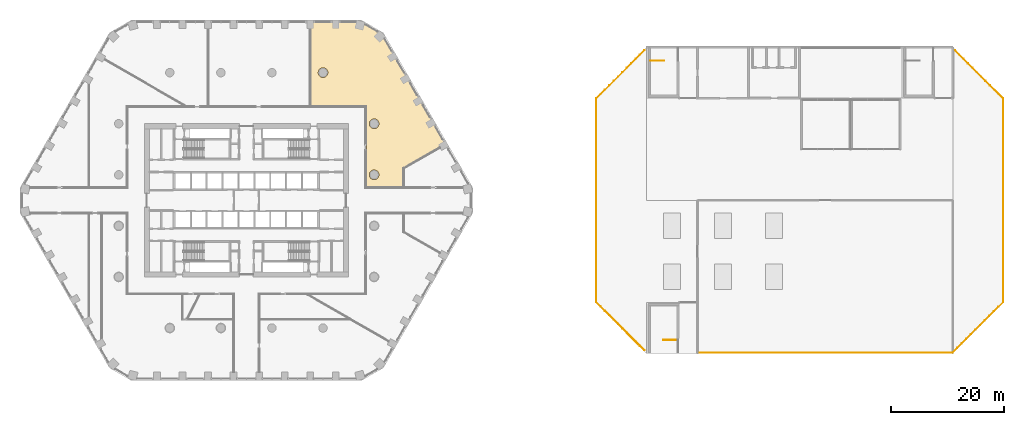
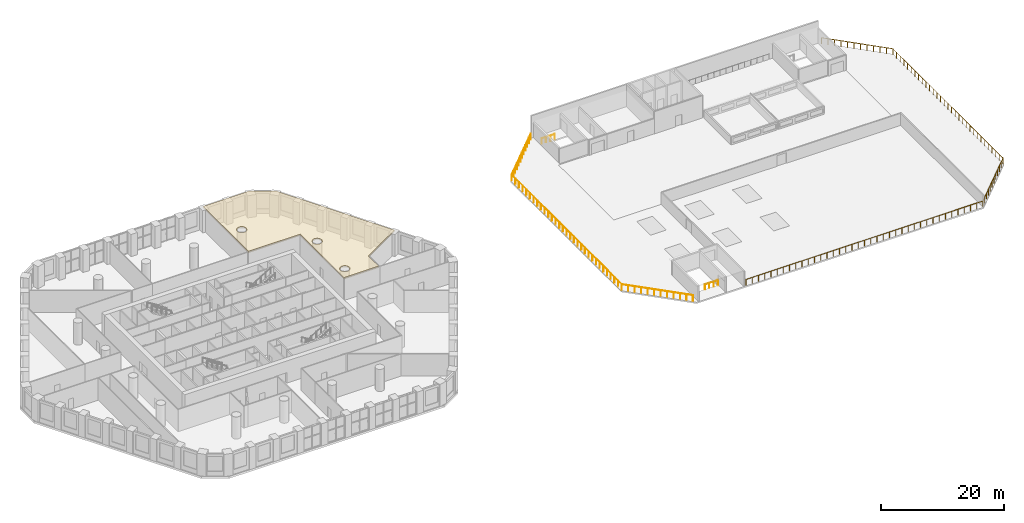
# One storey, part 20 of 21: 5 railings, 1 covering.
"""IFC4 building model written with IfcOpenShell, lengths in metres."""

from ifc_helpers import new_model, si_unit, direction, frame, origin, origin_2d, place, context, subcontext, project, spatial, polyline, circle, outline, extrude, material, layer, layer_set, type_object, element, save


model = new_model("IFC4")

# Units and contexts
model_context = context("Model", 3, precision=1e-05, world=origin(), true_north=direction((0.0, 1.0)))
body_context = subcontext(model_context, "Body", "Model", "MODEL_VIEW")
ifc_project = project(units=[si_unit("LENGTHUNIT", "METRE"), si_unit("AREAUNIT", "SQUARE_METRE"), si_unit("VOLUMEUNIT", "CUBIC_METRE"), si_unit("PLANEANGLEUNIT", "RADIAN"), si_unit("MASSUNIT", "GRAM", prefix="KILO")], contexts=[model_context])

# Site, building, storey
site_placement = place(None, origin())
site = spatial("IfcSite", under=ifc_project, at=site_placement, CompositionType="ELEMENT")
building_placement = place(site_placement, origin())
building = spatial("IfcBuilding", under=site, at=building_placement, Name="Dhurran Vertical Campus", CompositionType="ELEMENT")
storey_placement = place(building_placement, frame((0.0, 0.0, 20.39990234375)))
storey = spatial("IfcBuildingStorey", under=building, at=storey_placement, Name="L04", CompositionType="ELEMENT", Elevation=20.39990234375)

# Covering
ifc_material_1 = material(Name="Mineral fibre ceiling tiles on suspended grid")
ifc_layer = layer(ifc_material_1, 0.35009765625)
ifc_layer_set = layer_set([ifc_layer], Name="Mineral fibre ceiling tiles on suspended grid")
covering_type = type_object("IfcCoveringType", Name="fl-CE-350 suspended ceiling", PredefinedType="CEILING", material=ifc_layer_set)
covering_placement = place(storey_placement, frame((0.0, 0.0, 4.050048828125)))
element("IfcCovering", 1, at=covering_placement, inside=storey, type_object=covering_type, Name="Ceiling 04-15", PredefinedType="CEILING", context=body_context, shape_type="SweptSolid", body=[
    extrude(outline(polyline([(27.6298828125, 5.697998046875), (27.6298828125, 2.3701171875), (21.1201171875, 2.3701171875), (21.1201171875, 16.6201171875), (11.3701171875, 16.6201171875), (11.3701171875, 31.360107421875), (20.137939453125, 31.360107421875), (23.839111328125, 29.221923828125), (34.972900390625, 9.93798828125), (27.6298828125, 5.697998046875)]), holes=[polyline([(14.25, 22.90087890625), (14.20703125, 22.971923828125), (14.156982421875, 23.0390625), (14.10107421875, 23.10107421875), (14.0390625, 23.156982421875), (13.971923828125, 23.20703125), (13.90087890625, 23.25), (13.824951171875, 23.284912109375), (13.7470703125, 23.31298828125), (13.666015625, 23.333984375), (13.5830078125, 23.345947265625), (13.5, 23.35009765625), (13.4169921875, 23.345947265625), (13.333984375, 23.333984375), (13.2529296875, 23.31298828125), (13.175048828125, 23.284912109375), (13.09912109375, 23.25), (13.028076171875, 23.20703125), (12.9609375, 23.156982421875), (12.89892578125, 23.10107421875), (12.843017578125, 23.0390625), (12.79296875, 22.971923828125), (12.75, 22.90087890625), (12.715087890625, 22.824951171875), (12.68701171875, 22.7470703125), (12.666015625, 22.666015625), (12.654052734375, 22.5830078125), (12.64990234375, 22.5), (12.654052734375, 22.4169921875), (12.666015625, 22.333984375), (12.68701171875, 22.2529296875), (12.715087890625, 22.175048828125), (12.75, 22.09912109375), (12.79296875, 22.028076171875), (12.843017578125, 21.9609375), (12.89892578125, 21.89892578125), (12.9609375, 21.843017578125), (13.028076171875, 21.79296875), (13.09912109375, 21.75), (13.175048828125, 21.715087890625), (13.2529296875, 21.68701171875), (13.333984375, 21.666015625), (13.4169921875, 21.654052734375), (13.5, 21.64990234375), (13.5830078125, 21.654052734375), (13.666015625, 21.666015625), (13.7470703125, 21.68701171875), (13.824951171875, 21.715087890625), (13.90087890625, 21.75), (13.971923828125, 21.79296875), (14.0390625, 21.843017578125), (14.10107421875, 21.89892578125), (14.156982421875, 21.9609375), (14.20703125, 22.028076171875), (14.25, 22.09912109375), (14.284912109375, 22.175048828125), (14.31298828125, 22.2529296875), (14.333984375, 22.333984375), (14.345947265625, 22.4169921875), (14.35009765625, 22.5), (14.345947265625, 22.5830078125), (14.333984375, 22.666015625), (14.31298828125, 22.7470703125), (14.284912109375, 22.824951171875), (14.25, 22.90087890625)]), polyline([(23.333984375, 4.666015625), (23.31298828125, 4.7470703125), (23.284912109375, 4.824951171875), (23.25, 4.90087890625), (23.20703125, 4.971923828125), (23.156982421875, 5.0390625), (23.10107421875, 5.10107421875), (23.0390625, 5.156982421875), (22.971923828125, 5.20703125), (22.90087890625, 5.25), (22.824951171875, 5.284912109375), (22.7470703125, 5.31298828125), (22.666015625, 5.333984375), (22.5830078125, 5.345947265625), (22.5, 5.35009765625), (22.4169921875, 5.345947265625), (22.333984375, 5.333984375), (22.2529296875, 5.31298828125), (22.175048828125, 5.284912109375), (22.09912109375, 5.25), (22.028076171875, 5.20703125), (21.9609375, 5.156982421875), (21.89892578125, 5.10107421875), (21.843017578125, 5.0390625), (21.79296875, 4.971923828125), (21.75, 4.90087890625), (21.715087890625, 4.824951171875), (21.68701171875, 4.7470703125), (21.666015625, 4.666015625), (21.654052734375, 4.5830078125), (21.64990234375, 4.5), (21.654052734375, 4.4169921875), (21.666015625, 4.333984375), (21.68701171875, 4.2529296875), (21.715087890625, 4.175048828125), (21.75, 4.09912109375), (21.79296875, 4.028076171875), (21.843017578125, 3.9609375), (21.89892578125, 3.89892578125), (21.9609375, 3.843017578125), (22.028076171875, 3.79296875), (22.09912109375, 3.75), (22.175048828125, 3.715087890625), (22.2529296875, 3.68701171875), (22.333984375, 3.666015625), (22.4169921875, 3.654052734375), (22.5, 3.64990234375), (22.5830078125, 3.654052734375), (22.666015625, 3.666015625), (22.7470703125, 3.68701171875), (22.824951171875, 3.715087890625), (22.90087890625, 3.75), (22.971923828125, 3.79296875), (23.0390625, 3.843017578125), (23.10107421875, 3.89892578125), (23.156982421875, 3.9609375), (23.20703125, 4.028076171875), (23.25, 4.09912109375), (23.284912109375, 4.175048828125), (23.31298828125, 4.2529296875), (23.333984375, 4.333984375), (23.345947265625, 4.4169921875), (23.35009765625, 4.5), (23.345947265625, 4.5830078125), (23.333984375, 4.666015625)]), polyline([(23.345947265625, 13.5830078125), (23.333984375, 13.666015625), (23.31298828125, 13.7470703125), (23.284912109375, 13.824951171875), (23.25, 13.90087890625), (23.20703125, 13.971923828125), (23.156982421875, 14.0390625), (23.10107421875, 14.10107421875), (23.0390625, 14.156982421875), (22.971923828125, 14.20703125), (22.90087890625, 14.25), (22.824951171875, 14.284912109375), (22.7470703125, 14.31298828125), (22.666015625, 14.333984375), (22.5830078125, 14.345947265625), (22.5, 14.35009765625), (22.4169921875, 14.345947265625), (22.333984375, 14.333984375), (22.2529296875, 14.31298828125), (22.175048828125, 14.284912109375), (22.09912109375, 14.25), (22.028076171875, 14.20703125), (21.9609375, 14.156982421875), (21.89892578125, 14.10107421875), (21.843017578125, 14.0390625), (21.79296875, 13.971923828125), (21.75, 13.90087890625), (21.715087890625, 13.824951171875), (21.68701171875, 13.7470703125), (21.666015625, 13.666015625), (21.654052734375, 13.5830078125), (21.64990234375, 13.5), (21.654052734375, 13.4169921875), (21.666015625, 13.333984375), (21.68701171875, 13.2529296875), (21.715087890625, 13.175048828125), (21.75, 13.09912109375), (21.79296875, 13.028076171875), (21.843017578125, 12.9609375), (21.89892578125, 12.89892578125), (21.9609375, 12.843017578125), (22.028076171875, 12.79296875), (22.09912109375, 12.75), (22.175048828125, 12.715087890625), (22.2529296875, 12.68701171875), (22.333984375, 12.666015625), (22.4169921875, 12.654052734375), (22.5, 12.64990234375), (22.5830078125, 12.654052734375), (22.666015625, 12.666015625), (22.7470703125, 12.68701171875), (22.824951171875, 12.715087890625), (22.90087890625, 12.75), (22.971923828125, 12.79296875), (23.0390625, 12.843017578125), (23.10107421875, 12.89892578125), (23.156982421875, 12.9609375), (23.20703125, 13.028076171875), (23.25, 13.09912109375), (23.284912109375, 13.175048828125), (23.31298828125, 13.2529296875), (23.333984375, 13.333984375), (23.345947265625, 13.4169921875), (23.35009765625, 13.5), (23.345947265625, 13.5830078125)])]), origin(), (0.0, 0.0, 1.0), 0.35009765625),
])

# Railings
ifc_material_2 = material(Name="Steel S355J2H", Category="steel")
railing_type_1 = type_object("IfcRailingType", Name="hl-roof guard 1200", PredefinedType="GUARDRAIL", material=ifc_material_2)
railing_1_placement = place(storey_placement, frame((61.64990234375, -17.93798828125, 0.0)))
element("IfcRailing", 2, at=railing_1_placement, inside=storey, type_object=railing_type_1, Name="Hall roof guard 01", PredefinedType="GUARDRAIL", context=body_context, shape_type="SweptSolid", body=[
    extrude(circle(Radius=0.02392578125, at=origin_2d()), frame((0.0, 0.0, 1.17578125), z_axis=(0.0, 1.0, 0.0), x_axis=(-1.0, 0.0, 0.0)), (0.0, 0.0, 1.0), 35.8759765625),
    extrude(circle(Radius=0.02392578125, at=origin_2d()), frame((0.0, 35.8759765625, 1.17578125), z_axis=(0.707106781187, 0.707106781187, 0.0), x_axis=(-0.707106781187, 0.707106781187, 0.0)), (0.0, 0.0, 1.0), 12.020751953125),
    extrude(circle(Radius=0.02099609375, at=origin_2d()), origin(), (0.0, 0.0, 1.0), 1.15185546875),
    extrude(circle(Radius=0.02099609375, at=origin_2d()), frame((0.0, 1.19580078125, 0.0)), (0.0, 0.0, 1.0), 1.15185546875),
    extrude(circle(Radius=0.02099609375, at=origin_2d()), frame((0.0, 2.391845703125, 0.0)), (0.0, 0.0, 1.0), 1.15185546875),
    extrude(circle(Radius=0.02099609375, at=origin_2d()), frame((0.0, 3.587646484375, 0.0)), (0.0, 0.0, 1.0), 1.15185546875),
    extrude(circle(Radius=0.02099609375, at=origin_2d()), frame((0.0, 4.783447265625, 0.0)), (0.0, 0.0, 1.0), 1.15185546875),
    extrude(circle(Radius=0.02099609375, at=origin_2d()), frame((0.0, 5.979248046875, 0.0)), (0.0, 0.0, 1.0), 1.15185546875),
    extrude(circle(Radius=0.02099609375, at=origin_2d()), frame((0.0, 7.17529296875, 0.0)), (0.0, 0.0, 1.0), 1.15185546875),
    extrude(circle(Radius=0.02099609375, at=origin_2d()), frame((0.0, 8.37109375, 0.0)), (0.0, 0.0, 1.0), 1.15185546875),
    extrude(circle(Radius=0.02099609375, at=origin_2d()), frame((0.0, 9.56689453125, 0.0)), (0.0, 0.0, 1.0), 1.15185546875),
    extrude(circle(Radius=0.02099609375, at=origin_2d()), frame((0.0, 10.7626953125, 0.0)), (0.0, 0.0, 1.0), 1.15185546875),
    extrude(circle(Radius=0.02099609375, at=origin_2d()), frame((0.0, 11.958740234375, 0.0)), (0.0, 0.0, 1.0), 1.15185546875),
    extrude(circle(Radius=0.02099609375, at=origin_2d()), frame((0.0, 13.154541015625, 0.0)), (0.0, 0.0, 1.0), 1.15185546875),
    extrude(circle(Radius=0.02099609375, at=origin_2d()), frame((0.0, 14.350341796875, 0.0)), (0.0, 0.0, 1.0), 1.15185546875),
    extrude(circle(Radius=0.02099609375, at=origin_2d()), frame((0.0, 15.546142578125, 0.0)), (0.0, 0.0, 1.0), 1.15185546875),
    extrude(circle(Radius=0.02099609375, at=origin_2d()), frame((0.0, 16.7421875, 0.0)), (0.0, 0.0, 1.0), 1.15185546875),
    extrude(circle(Radius=0.02099609375, at=origin_2d()), frame((0.0, 17.93798828125, 0.0)), (0.0, 0.0, 1.0), 1.15185546875),
    extrude(circle(Radius=0.02099609375, at=origin_2d()), frame((0.0, 19.1337890625, 0.0)), (0.0, 0.0, 1.0), 1.15185546875),
    extrude(circle(Radius=0.02099609375, at=origin_2d()), frame((0.0, 20.329833984375, 0.0)), (0.0, 0.0, 1.0), 1.15185546875),
    extrude(circle(Radius=0.02099609375, at=origin_2d()), frame((0.0, 21.525634765625, 0.0)), (0.0, 0.0, 1.0), 1.15185546875),
    extrude(circle(Radius=0.02099609375, at=origin_2d()), frame((0.0, 22.721435546875, 0.0)), (0.0, 0.0, 1.0), 1.15185546875),
    extrude(circle(Radius=0.02099609375, at=origin_2d()), frame((0.0, 23.917236328125, 0.0)), (0.0, 0.0, 1.0), 1.15185546875),
    extrude(circle(Radius=0.02099609375, at=origin_2d()), frame((0.0, 25.11328125, 0.0)), (0.0, 0.0, 1.0), 1.15185546875),
    extrude(circle(Radius=0.02099609375, at=origin_2d()), frame((0.0, 26.30908203125, 0.0)), (0.0, 0.0, 1.0), 1.15185546875),
    extrude(circle(Radius=0.02099609375, at=origin_2d()), frame((0.0, 27.5048828125, 0.0)), (0.0, 0.0, 1.0), 1.15185546875),
    extrude(circle(Radius=0.02099609375, at=origin_2d()), frame((0.0, 28.70068359375, 0.0)), (0.0, 0.0, 1.0), 1.15185546875),
    extrude(circle(Radius=0.02099609375, at=origin_2d()), frame((0.0, 29.896728515625, 0.0)), (0.0, 0.0, 1.0), 1.15185546875),
    extrude(circle(Radius=0.02099609375, at=origin_2d()), frame((0.0, 31.092529296875, 0.0)), (0.0, 0.0, 1.0), 1.15185546875),
    extrude(circle(Radius=0.02099609375, at=origin_2d()), frame((0.0, 32.288330078125, 0.0)), (0.0, 0.0, 1.0), 1.15185546875),
    extrude(circle(Radius=0.02099609375, at=origin_2d()), frame((0.0, 33.484130859375, 0.0)), (0.0, 0.0, 1.0), 1.15185546875),
    extrude(circle(Radius=0.02099609375, at=origin_2d()), frame((0.0, 34.68017578125, 0.0)), (0.0, 0.0, 1.0), 1.15185546875),
    extrude(circle(Radius=0.02099609375, at=origin_2d()), frame((0.0, 35.8759765625, 0.0)), (0.0, 0.0, 1.0), 1.15185546875),
    extrude(circle(Radius=0.02099609375, at=origin_2d()), frame((0.772705078125, 36.648681640625, 0.0)), (0.0, 0.0, 1.0), 1.15185546875),
    extrude(circle(Radius=0.02099609375, at=origin_2d()), frame((1.54541015625, 37.42138671875, 0.0)), (0.0, 0.0, 1.0), 1.15185546875),
    extrude(circle(Radius=0.02099609375, at=origin_2d()), frame((2.318115234375, 38.194091796875, 0.0)), (0.0, 0.0, 1.0), 1.15185546875),
    extrude(circle(Radius=0.02099609375, at=origin_2d()), frame((3.0908203125, 38.966796875, 0.0)), (0.0, 0.0, 1.0), 1.15185546875),
    extrude(circle(Radius=0.02099609375, at=origin_2d()), frame((3.863525390625, 39.739501953125, 0.0)), (0.0, 0.0, 1.0), 1.15185546875),
    extrude(circle(Radius=0.02099609375, at=origin_2d()), frame((4.636474609375, 40.512451171875, 0.0)), (0.0, 0.0, 1.0), 1.15185546875),
    extrude(circle(Radius=0.02099609375, at=origin_2d()), frame((5.4091796875, 41.28515625, 0.0)), (0.0, 0.0, 1.0), 1.15185546875),
    extrude(circle(Radius=0.02099609375, at=origin_2d()), frame((6.181884765625, 42.057861328125, 0.0)), (0.0, 0.0, 1.0), 1.15185546875),
    extrude(circle(Radius=0.02099609375, at=origin_2d()), frame((6.95458984375, 42.83056640625, 0.0)), (0.0, 0.0, 1.0), 1.15185546875),
    extrude(circle(Radius=0.02099609375, at=origin_2d()), frame((7.727294921875, 43.603271484375, 0.0)), (0.0, 0.0, 1.0), 1.15185546875),
    extrude(circle(Radius=0.02099609375, at=origin_2d()), frame((8.5, 44.3759765625, 0.0)), (0.0, 0.0, 1.0), 1.15185546875),
])
railing_2_placement = place(storey_placement, frame((124.85009765625, 26.43798828125, 0.0)))
element("IfcRailing", 3, at=railing_2_placement, inside=storey, type_object=railing_type_1, Name="Hall roof guard 03", PredefinedType="GUARDRAIL", context=body_context, shape_type="SweptSolid", body=[
    extrude(circle(Radius=0.02392578125, at=origin_2d()), frame((0.0, 0.0, 1.17578125), z_axis=(0.707106781187, -0.707106781187, 0.0), x_axis=(0.707106781187, 0.707106781187, 0.0)), (0.0, 0.0, 1.0), 12.020751953125),
    extrude(circle(Radius=0.02392578125, at=origin_2d()), frame((8.5, -8.5, 1.17578125), z_axis=(0.0, -1.0, 0.0), x_axis=(1.0, 0.0, 0.0)), (0.0, 0.0, 1.0), 35.8759765625),
    extrude(circle(Radius=0.02392578125, at=origin_2d()), frame((8.5, -44.3759765625, 1.17578125), z_axis=(-0.707106781187, -0.707106781187, 0.0), x_axis=(0.707106781187, -0.707106781187, 0.0)), (0.0, 0.0, 1.0), 12.603515625),
    extrude(circle(Radius=0.02392578125, at=origin_2d()), frame((-0.412109375, -53.2880859375, 1.17578125), z_axis=(-1.0, 0.0, 0.0), x_axis=(0.0, -1.0, 0.0)), (0.0, 0.0, 1.0), 44.587890625),
    extrude(circle(Radius=0.02099609375, at=origin_2d()), origin(), (0.0, 0.0, 1.0), 1.15185546875),
    extrude(circle(Radius=0.02099609375, at=origin_2d()), frame((0.772705078125, -0.772705078125, 0.0)), (0.0, 0.0, 1.0), 1.15185546875),
    extrude(circle(Radius=0.02099609375, at=origin_2d()), frame((1.54541015625, -1.54541015625, 0.0)), (0.0, 0.0, 1.0), 1.15185546875),
    extrude(circle(Radius=0.02099609375, at=origin_2d()), frame((2.318115234375, -2.318115234375, 0.0)), (0.0, 0.0, 1.0), 1.15185546875),
    extrude(circle(Radius=0.02099609375, at=origin_2d()), frame((3.0908203125, -3.0908203125, 0.0)), (0.0, 0.0, 1.0), 1.15185546875),
    extrude(circle(Radius=0.02099609375, at=origin_2d()), frame((3.863525390625, -3.863525390625, 0.0)), (0.0, 0.0, 1.0), 1.15185546875),
    extrude(circle(Radius=0.02099609375, at=origin_2d()), frame((4.636474609375, -4.636474609375, 0.0)), (0.0, 0.0, 1.0), 1.15185546875),
    extrude(circle(Radius=0.02099609375, at=origin_2d()), frame((5.4091796875, -5.4091796875, 0.0)), (0.0, 0.0, 1.0), 1.15185546875),
    extrude(circle(Radius=0.02099609375, at=origin_2d()), frame((6.181884765625, -6.181884765625, 0.0)), (0.0, 0.0, 1.0), 1.15185546875),
    extrude(circle(Radius=0.02099609375, at=origin_2d()), frame((6.95458984375, -6.95458984375, 0.0)), (0.0, 0.0, 1.0), 1.15185546875),
    extrude(circle(Radius=0.02099609375, at=origin_2d()), frame((7.727294921875, -7.727294921875, 0.0)), (0.0, 0.0, 1.0), 1.15185546875),
    extrude(circle(Radius=0.02099609375, at=origin_2d()), frame((8.5, -8.5, 0.0)), (0.0, 0.0, 1.0), 1.15185546875),
    extrude(circle(Radius=0.02099609375, at=origin_2d()), frame((8.5, -9.69580078125, 0.0)), (0.0, 0.0, 1.0), 1.15185546875),
    extrude(circle(Radius=0.02099609375, at=origin_2d()), frame((8.5, -10.891845703125, 0.0)), (0.0, 0.0, 1.0), 1.15185546875),
    extrude(circle(Radius=0.02099609375, at=origin_2d()), frame((8.5, -12.087646484375, 0.0)), (0.0, 0.0, 1.0), 1.15185546875),
    extrude(circle(Radius=0.02099609375, at=origin_2d()), frame((8.5, -13.283447265625, 0.0)), (0.0, 0.0, 1.0), 1.15185546875),
    extrude(circle(Radius=0.02099609375, at=origin_2d()), frame((8.5, -14.479248046875, 0.0)), (0.0, 0.0, 1.0), 1.15185546875),
    extrude(circle(Radius=0.02099609375, at=origin_2d()), frame((8.5, -15.67529296875, 0.0)), (0.0, 0.0, 1.0), 1.15185546875),
    extrude(circle(Radius=0.02099609375, at=origin_2d()), frame((8.5, -16.87109375, 0.0)), (0.0, 0.0, 1.0), 1.15185546875),
    extrude(circle(Radius=0.02099609375, at=origin_2d()), frame((8.5, -18.06689453125, 0.0)), (0.0, 0.0, 1.0), 1.15185546875),
    extrude(circle(Radius=0.02099609375, at=origin_2d()), frame((8.5, -19.2626953125, 0.0)), (0.0, 0.0, 1.0), 1.15185546875),
    extrude(circle(Radius=0.02099609375, at=origin_2d()), frame((8.5, -20.458740234375, 0.0)), (0.0, 0.0, 1.0), 1.15185546875),
    extrude(circle(Radius=0.02099609375, at=origin_2d()), frame((8.5, -21.654541015625, 0.0)), (0.0, 0.0, 1.0), 1.15185546875),
    extrude(circle(Radius=0.02099609375, at=origin_2d()), frame((8.5, -22.850341796875, 0.0)), (0.0, 0.0, 1.0), 1.15185546875),
    extrude(circle(Radius=0.02099609375, at=origin_2d()), frame((8.5, -24.046142578125, 0.0)), (0.0, 0.0, 1.0), 1.15185546875),
    extrude(circle(Radius=0.02099609375, at=origin_2d()), frame((8.5, -25.2421875, 0.0)), (0.0, 0.0, 1.0), 1.15185546875),
    extrude(circle(Radius=0.02099609375, at=origin_2d()), frame((8.5, -26.43798828125, 0.0)), (0.0, 0.0, 1.0), 1.15185546875),
    extrude(circle(Radius=0.02099609375, at=origin_2d()), frame((8.5, -27.6337890625, 0.0)), (0.0, 0.0, 1.0), 1.15185546875),
    extrude(circle(Radius=0.02099609375, at=origin_2d()), frame((8.5, -28.829833984375, 0.0)), (0.0, 0.0, 1.0), 1.15185546875),
    extrude(circle(Radius=0.02099609375, at=origin_2d()), frame((8.5, -30.025634765625, 0.0)), (0.0, 0.0, 1.0), 1.15185546875),
    extrude(circle(Radius=0.02099609375, at=origin_2d()), frame((8.5, -31.221435546875, 0.0)), (0.0, 0.0, 1.0), 1.15185546875),
    extrude(circle(Radius=0.02099609375, at=origin_2d()), frame((8.5, -32.417236328125, 0.0)), (0.0, 0.0, 1.0), 1.15185546875),
    extrude(circle(Radius=0.02099609375, at=origin_2d()), frame((8.5, -33.61328125, 0.0)), (0.0, 0.0, 1.0), 1.15185546875),
    extrude(circle(Radius=0.02099609375, at=origin_2d()), frame((8.5, -34.80908203125, 0.0)), (0.0, 0.0, 1.0), 1.15185546875),
    extrude(circle(Radius=0.02099609375, at=origin_2d()), frame((8.5, -36.0048828125, 0.0)), (0.0, 0.0, 1.0), 1.15185546875),
    extrude(circle(Radius=0.02099609375, at=origin_2d()), frame((8.5, -37.20068359375, 0.0)), (0.0, 0.0, 1.0), 1.15185546875),
    extrude(circle(Radius=0.02099609375, at=origin_2d()), frame((8.5, -38.396728515625, 0.0)), (0.0, 0.0, 1.0), 1.15185546875),
    extrude(circle(Radius=0.02099609375, at=origin_2d()), frame((8.5, -39.592529296875, 0.0)), (0.0, 0.0, 1.0), 1.15185546875),
    extrude(circle(Radius=0.02099609375, at=origin_2d()), frame((8.5, -40.788330078125, 0.0)), (0.0, 0.0, 1.0), 1.15185546875),
    extrude(circle(Radius=0.02099609375, at=origin_2d()), frame((8.5, -41.984130859375, 0.0)), (0.0, 0.0, 1.0), 1.15185546875),
    extrude(circle(Radius=0.02099609375, at=origin_2d()), frame((8.5, -43.18017578125, 0.0)), (0.0, 0.0, 1.0), 1.15185546875),
    extrude(circle(Radius=0.02099609375, at=origin_2d()), frame((8.5, -44.3759765625, 0.0)), (0.0, 0.0, 1.0), 1.15185546875),
    extrude(circle(Radius=0.02099609375, at=origin_2d()), frame((7.689697265625, -45.186279296875, 0.0)), (0.0, 0.0, 1.0), 1.15185546875),
    extrude(circle(Radius=0.02099609375, at=origin_2d()), frame((6.879638671875, -45.996337890625, 0.0)), (0.0, 0.0, 1.0), 1.15185546875),
    extrude(circle(Radius=0.02099609375, at=origin_2d()), frame((6.0693359375, -46.806640625, 0.0)), (0.0, 0.0, 1.0), 1.15185546875),
    extrude(circle(Radius=0.02099609375, at=origin_2d()), frame((5.25927734375, -47.61669921875, 0.0)), (0.0, 0.0, 1.0), 1.15185546875),
    extrude(circle(Radius=0.02099609375, at=origin_2d()), frame((4.448974609375, -48.427001953125, 0.0)), (0.0, 0.0, 1.0), 1.15185546875),
    extrude(circle(Radius=0.02099609375, at=origin_2d()), frame((3.638916015625, -49.237060546875, 0.0)), (0.0, 0.0, 1.0), 1.15185546875),
    extrude(circle(Radius=0.02099609375, at=origin_2d()), frame((2.82861328125, -50.04736328125, 0.0)), (0.0, 0.0, 1.0), 1.15185546875),
    extrude(circle(Radius=0.02099609375, at=origin_2d()), frame((2.0185546875, -50.857421875, 0.0)), (0.0, 0.0, 1.0), 1.15185546875),
    extrude(circle(Radius=0.02099609375, at=origin_2d()), frame((1.208251953125, -51.667724609375, 0.0)), (0.0, 0.0, 1.0), 1.15185546875),
    extrude(circle(Radius=0.02099609375, at=origin_2d()), frame((0.398193359375, -52.477783203125, 0.0)), (0.0, 0.0, 1.0), 1.15185546875),
    extrude(circle(Radius=0.02099609375, at=origin_2d()), frame((-0.412109375, -53.2880859375, 0.0)), (0.0, 0.0, 1.0), 1.15185546875),
    extrude(circle(Radius=0.02099609375, at=origin_2d()), frame((-1.58544921875, -53.2880859375, 0.0)), (0.0, 0.0, 1.0), 1.15185546875),
    extrude(circle(Radius=0.02099609375, at=origin_2d()), frame((-2.7587890625, -53.2880859375, 0.0)), (0.0, 0.0, 1.0), 1.15185546875),
    extrude(circle(Radius=0.02099609375, at=origin_2d()), frame((-3.93212890625, -53.2880859375, 0.0)), (0.0, 0.0, 1.0), 1.15185546875),
    extrude(circle(Radius=0.02099609375, at=origin_2d()), frame((-5.10546875, -53.2880859375, 0.0)), (0.0, 0.0, 1.0), 1.15185546875),
    extrude(circle(Radius=0.02099609375, at=origin_2d()), frame((-6.279052734375, -53.2880859375, 0.0)), (0.0, 0.0, 1.0), 1.15185546875),
    extrude(circle(Radius=0.02099609375, at=origin_2d()), frame((-7.452392578125, -53.2880859375, 0.0)), (0.0, 0.0, 1.0), 1.15185546875),
    extrude(circle(Radius=0.02099609375, at=origin_2d()), frame((-8.625732421875, -53.2880859375, 0.0)), (0.0, 0.0, 1.0), 1.15185546875),
    extrude(circle(Radius=0.02099609375, at=origin_2d()), frame((-9.799072265625, -53.2880859375, 0.0)), (0.0, 0.0, 1.0), 1.15185546875),
    extrude(circle(Radius=0.02099609375, at=origin_2d()), frame((-10.972412109375, -53.2880859375, 0.0)), (0.0, 0.0, 1.0), 1.15185546875),
    extrude(circle(Radius=0.02099609375, at=origin_2d()), frame((-12.145751953125, -53.2880859375, 0.0)), (0.0, 0.0, 1.0), 1.15185546875),
    extrude(circle(Radius=0.02099609375, at=origin_2d()), frame((-13.319091796875, -53.2880859375, 0.0)), (0.0, 0.0, 1.0), 1.15185546875),
    extrude(circle(Radius=0.02099609375, at=origin_2d()), frame((-14.492431640625, -53.2880859375, 0.0)), (0.0, 0.0, 1.0), 1.15185546875),
    extrude(circle(Radius=0.02099609375, at=origin_2d()), frame((-15.665771484375, -53.2880859375, 0.0)), (0.0, 0.0, 1.0), 1.15185546875),
    extrude(circle(Radius=0.02099609375, at=origin_2d()), frame((-16.839111328125, -53.2880859375, 0.0)), (0.0, 0.0, 1.0), 1.15185546875),
    extrude(circle(Radius=0.02099609375, at=origin_2d()), frame((-18.0126953125, -53.2880859375, 0.0)), (0.0, 0.0, 1.0), 1.15185546875),
    extrude(circle(Radius=0.02099609375, at=origin_2d()), frame((-19.18603515625, -53.2880859375, 0.0)), (0.0, 0.0, 1.0), 1.15185546875),
    extrude(circle(Radius=0.02099609375, at=origin_2d()), frame((-20.359375, -53.2880859375, 0.0)), (0.0, 0.0, 1.0), 1.15185546875),
    extrude(circle(Radius=0.02099609375, at=origin_2d()), frame((-21.53271484375, -53.2880859375, 0.0)), (0.0, 0.0, 1.0), 1.15185546875),
    extrude(circle(Radius=0.02099609375, at=origin_2d()), frame((-22.7060546875, -53.2880859375, 0.0)), (0.0, 0.0, 1.0), 1.15185546875),
    extrude(circle(Radius=0.02099609375, at=origin_2d()), frame((-23.87939453125, -53.2880859375, 0.0)), (0.0, 0.0, 1.0), 1.15185546875),
    extrude(circle(Radius=0.02099609375, at=origin_2d()), frame((-25.052734375, -53.2880859375, 0.0)), (0.0, 0.0, 1.0), 1.15185546875),
    extrude(circle(Radius=0.02099609375, at=origin_2d()), frame((-26.22607421875, -53.2880859375, 0.0)), (0.0, 0.0, 1.0), 1.15185546875),
    extrude(circle(Radius=0.02099609375, at=origin_2d()), frame((-27.3994140625, -53.2880859375, 0.0)), (0.0, 0.0, 1.0), 1.15185546875),
    extrude(circle(Radius=0.02099609375, at=origin_2d()), frame((-28.572998046875, -53.2880859375, 0.0)), (0.0, 0.0, 1.0), 1.15185546875),
    extrude(circle(Radius=0.02099609375, at=origin_2d()), frame((-29.746337890625, -53.2880859375, 0.0)), (0.0, 0.0, 1.0), 1.15185546875),
    extrude(circle(Radius=0.02099609375, at=origin_2d()), frame((-30.919677734375, -53.2880859375, 0.0)), (0.0, 0.0, 1.0), 1.15185546875),
    extrude(circle(Radius=0.02099609375, at=origin_2d()), frame((-32.093017578125, -53.2880859375, 0.0)), (0.0, 0.0, 1.0), 1.15185546875),
    extrude(circle(Radius=0.02099609375, at=origin_2d()), frame((-33.266357421875, -53.2880859375, 0.0)), (0.0, 0.0, 1.0), 1.15185546875),
    extrude(circle(Radius=0.02099609375, at=origin_2d()), frame((-34.439697265625, -53.2880859375, 0.0)), (0.0, 0.0, 1.0), 1.15185546875),
    extrude(circle(Radius=0.02099609375, at=origin_2d()), frame((-35.613037109375, -53.2880859375, 0.0)), (0.0, 0.0, 1.0), 1.15185546875),
    extrude(circle(Radius=0.02099609375, at=origin_2d()), frame((-36.786376953125, -53.2880859375, 0.0)), (0.0, 0.0, 1.0), 1.15185546875),
    extrude(circle(Radius=0.02099609375, at=origin_2d()), frame((-37.959716796875, -53.2880859375, 0.0)), (0.0, 0.0, 1.0), 1.15185546875),
    extrude(circle(Radius=0.02099609375, at=origin_2d()), frame((-39.133056640625, -53.2880859375, 0.0)), (0.0, 0.0, 1.0), 1.15185546875),
    extrude(circle(Radius=0.02099609375, at=origin_2d()), frame((-40.306640625, -53.2880859375, 0.0)), (0.0, 0.0, 1.0), 1.15185546875),
    extrude(circle(Radius=0.02099609375, at=origin_2d()), frame((-41.47998046875, -53.2880859375, 0.0)), (0.0, 0.0, 1.0), 1.15185546875),
    extrude(circle(Radius=0.02099609375, at=origin_2d()), frame((-42.6533203125, -53.2880859375, 0.0)), (0.0, 0.0, 1.0), 1.15185546875),
    extrude(circle(Radius=0.02099609375, at=origin_2d()), frame((-43.82666015625, -53.2880859375, 0.0)), (0.0, 0.0, 1.0), 1.15185546875),
    extrude(circle(Radius=0.02099609375, at=origin_2d()), frame((-45.0, -53.2880859375, 0.0)), (0.0, 0.0, 1.0), 1.15185546875),
])
railing_3_placement = place(storey_placement, frame((70.14990234375, -26.43798828125, 0.0)))
element("IfcRailing", 4, at=railing_3_placement, inside=storey, type_object=railing_type_1, Name="Hall roof guard 04", PredefinedType="GUARDRAIL", context=body_context, shape_type="SweptSolid", body=[
    extrude(circle(Radius=0.02392578125, at=origin_2d()), frame((0.0, 0.0, 1.17578125), z_axis=(-0.707106781187, 0.707106781187, 0.0), x_axis=(-0.707106781187, -0.707106781187, 0.0)), (0.0, 0.0, 1.0), 12.020751953125),
    extrude(circle(Radius=0.02099609375, at=origin_2d()), origin(), (0.0, 0.0, 1.0), 1.15185546875),
    extrude(circle(Radius=0.02099609375, at=origin_2d()), frame((-0.772705078125, 0.772705078125, 0.0)), (0.0, 0.0, 1.0), 1.15185546875),
    extrude(circle(Radius=0.02099609375, at=origin_2d()), frame((-1.54541015625, 1.54541015625, 0.0)), (0.0, 0.0, 1.0), 1.15185546875),
    extrude(circle(Radius=0.02099609375, at=origin_2d()), frame((-2.318115234375, 2.318115234375, 0.0)), (0.0, 0.0, 1.0), 1.15185546875),
    extrude(circle(Radius=0.02099609375, at=origin_2d()), frame((-3.0908203125, 3.0908203125, 0.0)), (0.0, 0.0, 1.0), 1.15185546875),
    extrude(circle(Radius=0.02099609375, at=origin_2d()), frame((-3.863525390625, 3.863525390625, 0.0)), (0.0, 0.0, 1.0), 1.15185546875),
    extrude(circle(Radius=0.02099609375, at=origin_2d()), frame((-4.636474609375, 4.636474609375, 0.0)), (0.0, 0.0, 1.0), 1.15185546875),
    extrude(circle(Radius=0.02099609375, at=origin_2d()), frame((-5.4091796875, 5.4091796875, 0.0)), (0.0, 0.0, 1.0), 1.15185546875),
    extrude(circle(Radius=0.02099609375, at=origin_2d()), frame((-6.181884765625, 6.181884765625, 0.0)), (0.0, 0.0, 1.0), 1.15185546875),
    extrude(circle(Radius=0.02099609375, at=origin_2d()), frame((-6.95458984375, 6.95458984375, 0.0)), (0.0, 0.0, 1.0), 1.15185546875),
    extrude(circle(Radius=0.02099609375, at=origin_2d()), frame((-7.727294921875, 7.727294921875, 0.0)), (0.0, 0.0, 1.0), 1.15185546875),
    extrude(circle(Radius=0.02099609375, at=origin_2d()), frame((-8.5, 8.5, 0.0)), (0.0, 0.0, 1.0), 1.15185546875),
])
ifc_material_3 = material(Name="Steel S355J2H", Category="steel")
railing_type_2 = type_object("IfcRailingType", Name="hl-stair guard 1100", PredefinedType="GUARDRAIL", material=ifc_material_3)
railing_4_placement = place(storey_placement, frame((75.89990234375, -24.60009765625, 0.0)))
element("IfcRailing", 5, at=railing_4_placement, inside=storey, type_object=railing_type_2, Name="L04 HST1 top well guard 1", PredefinedType="GUARDRAIL", context=body_context, shape_type="SweptSolid", body=[
    extrude(circle(Radius=0.02392578125, at=origin_2d()), frame((0.0, 0.0, 1.076171875), z_axis=(-1.0, 0.0, 0.0), x_axis=(0.0, -1.0, 0.0)), (0.0, 0.0, 1.0), 2.449951171875),
    extrude(circle(Radius=0.02099609375, at=origin_2d()), origin(), (0.0, 0.0, 1.0), 1.052001953125),
    extrude(circle(Radius=0.02099609375, at=origin_2d()), frame((-0.816650390625, 0.0, 0.0)), (0.0, 0.0, 1.0), 1.052001953125),
    extrude(circle(Radius=0.02099609375, at=origin_2d()), frame((-1.63330078125, 0.0, 0.0)), (0.0, 0.0, 1.0), 1.052001953125),
    extrude(circle(Radius=0.02099609375, at=origin_2d()), frame((-2.449951171875, 0.0, 0.0)), (0.0, 0.0, 1.0), 1.052001953125),
])
railing_5_placement = place(storey_placement, frame((71.14990234375, 24.60009765625, 0.0)))
element("IfcRailing", 6, at=railing_5_placement, inside=storey, type_object=railing_type_2, Name="L04 HST3 top well guard 1", PredefinedType="GUARDRAIL", context=body_context, shape_type="SweptSolid", body=[
    extrude(circle(Radius=0.02392578125, at=origin_2d()), frame((0.0, 0.0, 1.076171875), z_axis=(1.0, 0.0, 0.0), x_axis=(0.0, 1.0, 0.0)), (0.0, 0.0, 1.0), 2.4501953125),
    extrude(circle(Radius=0.02099609375, at=origin_2d()), origin(), (0.0, 0.0, 1.0), 1.052001953125),
    extrude(circle(Radius=0.02099609375, at=origin_2d()), frame((0.816650390625, 0.0, 0.0)), (0.0, 0.0, 1.0), 1.052001953125),
    extrude(circle(Radius=0.02099609375, at=origin_2d()), frame((1.633544921875, 0.0, 0.0)), (0.0, 0.0, 1.0), 1.052001953125),
    extrude(circle(Radius=0.02099609375, at=origin_2d()), frame((2.4501953125, 0.0, 0.0)), (0.0, 0.0, 1.0), 1.052001953125),
])

save(model, "model.ifc")
